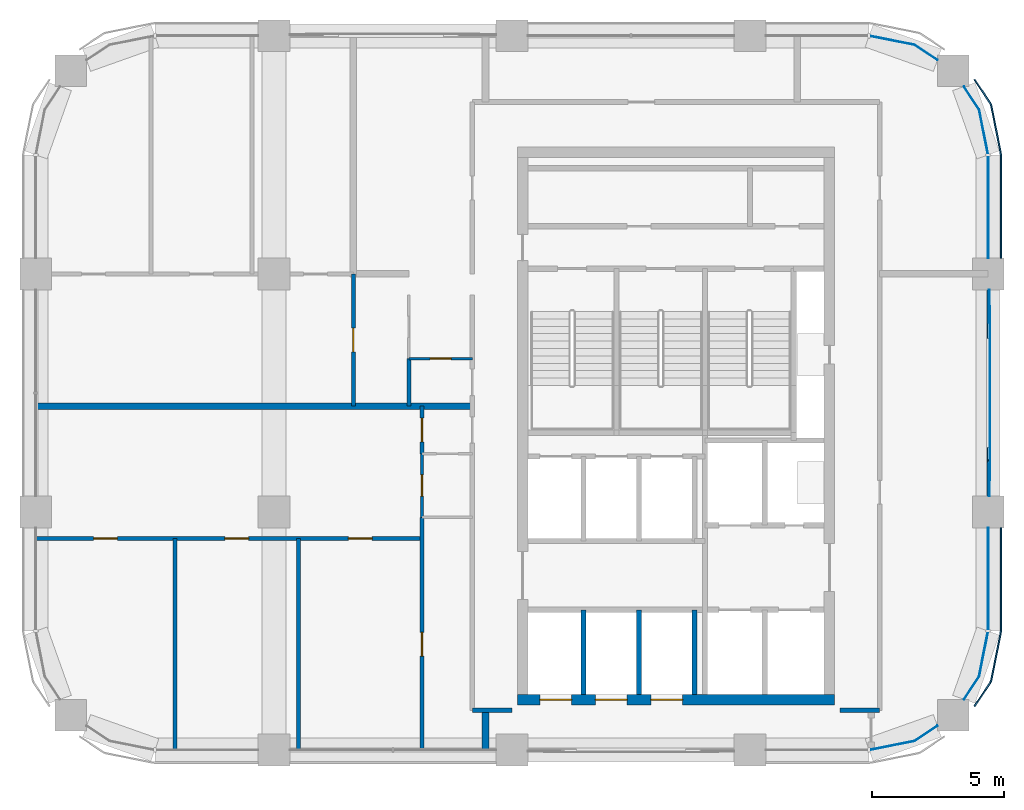
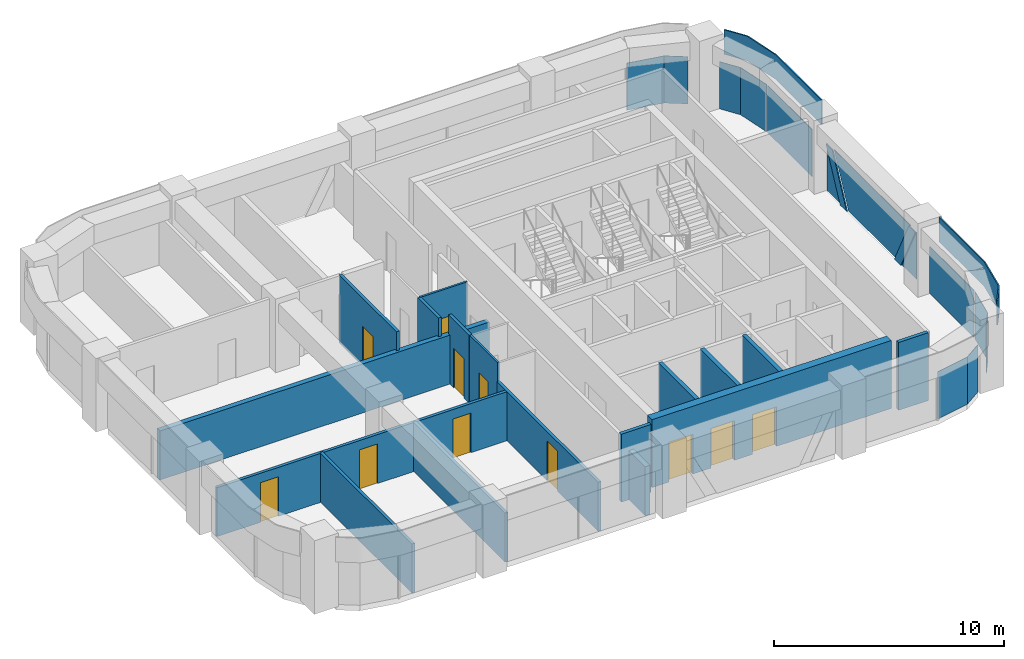
# One storey, part 6 of 9: 17 walls, 13 plates, 11 doors, 11 openings, 5 elements without a shape of their own.
"""IFC4 building model written with IfcOpenShell, lengths in metres."""

from ifc_helpers import new_model, si_unit, direction, frame, frame_2d, origin, origin_2d, place, context, subcontext, project, spatial, polyline, rectangle, outline, extrude, material, layer, layer_set, type_object, element, fill, aggregate, save


model = new_model("IFC4")

# Units and contexts
model_context = context("Model", 3, precision=1e-05, world=origin(), true_north=direction((0.0, 1.0)))
body_context = subcontext(model_context, "Body", "Model", "MODEL_VIEW")
ifc_project = project(units=[si_unit("LENGTHUNIT", "METRE"), si_unit("AREAUNIT", "SQUARE_METRE"), si_unit("VOLUMEUNIT", "CUBIC_METRE"), si_unit("PLANEANGLEUNIT", "RADIAN"), si_unit("MASSUNIT", "GRAM", prefix="KILO")], contexts=[model_context])

# Site, building, storey
site_placement = place(None, origin())
site = spatial("IfcSite", under=ifc_project, at=site_placement, CompositionType="ELEMENT")
building_placement = place(site_placement, origin())
building = spatial("IfcBuilding", under=site, at=building_placement, Name="Tessera Arch", CompositionType="ELEMENT")
storey_placement = place(building_placement, frame((0.0, 0.0, 246.199951171875)))
storey = spatial("IfcBuildingStorey", under=building, at=storey_placement, Name="L59", CompositionType="ELEMENT", Elevation=246.199951171875)

# Curtain wall, plates
ifc_material_1 = material(Name="CW2 curtain wall")
curtain_wall_type_1 = type_object("IfcCurtainWallType", Name="CW2 curtain wall", PredefinedType="NOTDEFINED", material=ifc_material_1)
curtain_wall_1_placement = place(storey_placement, origin())
curtain_wall_1 = element("IfcCurtainWall", 1, at=curtain_wall_1_placement, inside=storey, type_object=curtain_wall_type_1, Name="CW2 curtain wall E54.27/1 L59", PredefinedType="NOTDEFINED")
ifc_material_2 = material(Name="Clear low-e glass", Category="glass")
ifc_material_3 = material(Name="Clear low-e glass", Category="glass")
ifc_layer_1 = layer(ifc_material_3, 0.028076171875)
ifc_layer_set_1 = layer_set([ifc_layer_1], Name="CW2 glass panel")
plate_type_1 = type_object("IfcPlateType", Name="CW2 glass panel", PredefinedType="CURTAIN_PANEL", material=ifc_layer_set_1)
plate_1_placement = place(storey_placement, frame((54.0, 47.530029296875, 0.0), z_axis=(0.0, 0.0, 1.0), x_axis=(0.0, 1.0, 0.0)))
plate_1 = element("IfcPlate", 2, at=plate_1_placement, type_object=plate_type_1, material=ifc_material_2, Name="CW2 glass panel E54.27/1 1.1", PredefinedType="CURTAIN_PANEL", context=body_context, shape_type="SweptSolid", body=[
    extrude(rectangle(XDim=3.860107421875, YDim=0.028076171875, at=origin_2d()), origin(), (0.0, 0.0, 1.0), 2.5),
])
plate_2_placement = place(storey_placement, origin())
plate_2 = element("IfcPlate", 3, at=plate_2_placement, type_object=plate_type_1, material=ifc_material_2, Name="CW2 curved glass panel E54.27/1 2.1", PredefinedType="CURTAIN_PANEL", context=body_context, shape_type="SweptSolid", body=[
    extrude(outline(polyline([(53.644287109375, 51.216552734375), (53.978515625, 49.53662109375), (54.005859375, 49.5419921875), (53.670654296875, 51.2275390625), (53.094482421875, 52.08984375), (53.0712890625, 52.07421875), (53.644287109375, 51.216552734375)])), origin(), (0.0, 0.0, 1.0), 2.5),
])

# Curtain wall, plate
curtain_wall_2_placement = place(storey_placement, origin())
curtain_wall_2 = element("IfcCurtainWall", 4, at=curtain_wall_2_placement, inside=storey, type_object=curtain_wall_type_1, Name="CW2 curtain wall N54.18/0 L59", PredefinedType="NOTDEFINED")
plate_3_placement = place(storey_placement, origin())
plate_3 = element("IfcPlate", 5, at=plate_3_placement, type_object=plate_type_1, material=ifc_material_2, Name="CW2 curved glass panel N54.18/0 2.1", PredefinedType="CURTAIN_PANEL", context=body_context, shape_type="SweptSolid", body=[
    extrude(outline(polyline([(51.216552734375, 53.644287109375), (52.07421875, 53.0712890625), (52.08984375, 53.094482421875), (51.2275390625, 53.670654296875), (49.5419921875, 54.005859375), (49.53662109375, 53.978515625), (51.216552734375, 53.644287109375)])), origin(), (0.0, 0.0, 1.0), 2.5),
])
aggregate(curtain_wall_2, [plate_3])

curtain_wall_3_placement = place(storey_placement, origin())
curtain_wall_3 = element("IfcCurtainWall", 6, at=curtain_wall_3_placement, inside=storey, type_object=curtain_wall_type_1, Name="CW2 curtain wall S27.18/3 L59", PredefinedType="NOTDEFINED")
plate_4_placement = place(storey_placement, origin())
plate_4 = element("IfcPlate", 7, at=plate_4_placement, type_object=plate_type_1, material=ifc_material_2, Name="CW2 curved glass panel S27.18/3 2.1", PredefinedType="CURTAIN_PANEL", context=body_context, shape_type="SweptSolid", body=[
    extrude(outline(polyline([(51.216552734375, 27.355712890625), (49.53662109375, 27.021484375), (49.5419921875, 26.994140625), (51.2275390625, 27.329345703125), (52.08984375, 27.905517578125), (52.07421875, 27.9287109375), (51.216552734375, 27.355712890625)])), origin(), (0.0, 0.0, 1.0), 2.5),
])
aggregate(curtain_wall_3, [plate_4])

# Curtain wall, plates
curtain_wall_4_placement = place(storey_placement, origin())
curtain_wall_4 = element("IfcCurtainWall", 8, at=curtain_wall_4_placement, inside=storey, type_object=curtain_wall_type_1, Name="CW2 curtain wall E54.27/2 L59", PredefinedType="NOTDEFINED")
plate_5_placement = place(storey_placement, frame((54.0, 33.469970703125, 0.0), z_axis=(0.0, 0.0, 1.0), x_axis=(0.0, 1.0, 0.0)))
plate_5 = element("IfcPlate", 9, at=plate_5_placement, type_object=plate_type_1, material=ifc_material_2, Name="CW2 glass panel E54.27/2 1.1", PredefinedType="CURTAIN_PANEL", context=body_context, shape_type="SweptSolid", body=[
    extrude(rectangle(XDim=3.860107421875, YDim=0.028076171875, at=origin_2d()), origin(), (0.0, 0.0, 1.0), 2.5),
])
plate_6_placement = place(storey_placement, origin())
plate_6 = element("IfcPlate", 10, at=plate_6_placement, type_object=plate_type_1, material=ifc_material_2, Name="CW2 curved glass panel E54.27/2 2.1", PredefinedType="CURTAIN_PANEL", context=body_context, shape_type="SweptSolid", body=[
    extrude(outline(polyline([(53.644287109375, 29.783447265625), (53.0712890625, 28.92578125), (53.094482421875, 28.91015625), (53.670654296875, 29.7724609375), (54.005859375, 31.4580078125), (53.978515625, 31.46337890625), (53.644287109375, 29.783447265625)])), origin(), (0.0, 0.0, 1.0), 2.5),
])

# Plate
ifc_material_4 = material(Name="Pale anodised aluminium panel", Category="aluminium")
ifc_layer_2 = layer(ifc_material_4, 0.06005859375)
ifc_layer_set_2 = layer_set([ifc_layer_2], Name="CW2 spandrel panel")
plate_type_2 = type_object("IfcPlateType", Name="CW2 spandrel panel", PredefinedType="CURTAIN_PANEL", material=ifc_layer_set_2)
plate_7_placement = place(storey_placement, frame((0.0, 0.0, 2.60009765625)))
plate_7 = element("IfcPlate", 11, at=plate_7_placement, type_object=plate_type_2, Name="CW2 spandrel panel E54.27/1", PredefinedType="CURTAIN_PANEL", context=body_context, shape_type="SweptSolid", body=[
    extrude(outline(polyline([(54.449951171875, 49.499267578125), (54.449951171875, 45.60009765625), (54.510009765625, 45.60009765625), (54.510009765625, 49.500732421875), (54.507568359375, 49.550048828125), (54.500244140625, 49.598876953125), (54.157470703125, 51.322265625), (54.1455078125, 51.3701171875), (54.128662109375, 51.417236328125), (54.107421875, 51.462646484375), (54.08203125, 51.5048828125), (53.5068359375, 52.365234375), (53.45703125, 52.33203125), (54.03125, 51.47265625), (54.054443359375, 51.434326171875), (54.0732421875, 51.394287109375), (54.088134765625, 51.352783203125), (54.09912109375, 51.30908203125), (54.441162109375, 49.588623046875), (54.44775390625, 49.544189453125), (54.449951171875, 49.499267578125)])), origin(), (0.0, 0.0, 1.0), 1.300048828125),
])

aggregate(curtain_wall_1, [plate_1, plate_2, plate_7])

plate_8_placement = place(storey_placement, frame((0.0, 0.0, 2.60009765625)))
plate_8 = element("IfcPlate", 12, at=plate_8_placement, type_object=plate_type_2, Name="CW2 spandrel panel E54.27/2", PredefinedType="CURTAIN_PANEL", context=body_context, shape_type="SweptSolid", body=[
    extrude(outline(polyline([(54.03125, 29.52734375), (53.45703125, 28.66796875), (53.5068359375, 28.634765625), (54.08203125, 29.4951171875), (54.107421875, 29.537353515625), (54.128662109375, 29.582763671875), (54.1455078125, 29.6298828125), (54.157470703125, 29.677734375), (54.500244140625, 31.401123046875), (54.507568359375, 31.449951171875), (54.510009765625, 31.499267578125), (54.510009765625, 35.39990234375), (54.449951171875, 35.39990234375), (54.449951171875, 31.500732421875), (54.44775390625, 31.455810546875), (54.441162109375, 31.411376953125), (54.09912109375, 29.69091796875), (54.088134765625, 29.647216796875), (54.0732421875, 29.605712890625), (54.054443359375, 29.565673828125), (54.03125, 29.52734375)])), origin(), (0.0, 0.0, 1.0), 1.300048828125),
])

aggregate(curtain_wall_4, [plate_5, plate_6, plate_8])

# Curtain wall, plates
ifc_material_5 = material(Name="CW3 curtain wall")
curtain_wall_type_2 = type_object("IfcCurtainWallType", Name="CW3 curtain wall", PredefinedType="NOTDEFINED", material=ifc_material_5)
curtain_wall_5_placement = place(storey_placement, origin())
curtain_wall_5 = element("IfcCurtainWall", 13, at=curtain_wall_5_placement, inside=storey, type_object=curtain_wall_type_2, Name="CW3 curtain wall E54.27/0 L59", PredefinedType="NOTDEFINED")
ifc_material_6 = material(Name="Pale anodised aluminium panel", Category="aluminium")
ifc_layer_3 = layer(ifc_material_6, 0.06005859375)
ifc_layer_set_3 = layer_set([ifc_layer_3], Name="CW3 diagonal panel")
plate_type_3 = type_object("IfcPlateType", Name="CW3 diagonal panel", PredefinedType="CURTAIN_PANEL", material=ifc_layer_set_3)
plate_9_placement = place(storey_placement, frame((54.030029296875, 44.38232421875, 2.5), z_axis=(1.0, 0.0, 0.0), x_axis=(0.0, -1.0, 0.0)))
plate_9 = element("IfcPlate", 14, at=plate_9_placement, type_object=plate_type_3, Name="CW3 diagonal panel E54.27/0 1", PredefinedType="CURTAIN_PANEL", context=body_context, shape_type="SweptSolid", body=[
    extrude(outline(polyline([(0.0, 0.0), (0.564697265625, 0.0), (1.814697265625, 2.5), (1.25, 2.5), (0.0, 0.0)])), origin(), (0.0, 0.0, -1.0), 0.06005859375),
])
plate_10_placement = place(storey_placement, frame((54.030029296875, 37.182373046875, 2.5), z_axis=(1.0, 0.0, 0.0), x_axis=(0.0, -1.0, 0.0)))
plate_10 = element("IfcPlate", 15, at=plate_10_placement, type_object=plate_type_3, Name="CW3 diagonal panel E54.27/0 2", PredefinedType="CURTAIN_PANEL", context=body_context, shape_type="SweptSolid", body=[
    extrude(outline(polyline([(0.0, 0.0), (0.564697265625, 0.0), (-0.685302734375, 2.5), (-1.25, 2.5), (0.0, 0.0)])), origin(), (0.0, 0.0, -1.0), 0.06005859375),
])
ifc_material_7 = material(Name="Clear low-e glass", Category="glass")
ifc_layer_4 = layer(ifc_material_7, 0.028076171875)
ifc_layer_set_4 = layer_set([ifc_layer_4], Name="CW3 glass panel")
plate_type_4 = type_object("IfcPlateType", Name="CW3 glass panel", PredefinedType="CURTAIN_PANEL", material=ifc_layer_set_4)
plate_11_placement = place(storey_placement, frame((54.05810546875, 36.60009765625, 0.0), z_axis=(1.0, 0.0, 0.0), x_axis=(0.0, 1.0, 0.0)))
plate_11 = element("IfcPlate", 16, at=plate_11_placement, type_object=plate_type_4, material=ifc_material_2, Name="CW3 triangulated glass panel E54.27/0 1", PredefinedType="CURTAIN_PANEL", context=body_context, shape_type="SweptSolid", body=[
    extrude(outline(polyline([(0.0, 0.0), (1.267578125, 0.0), (0.017578125, 2.5), (0.0, 2.5), (0.0, 0.0)])), origin(), (0.0, 0.0, -1.0), 0.028076171875),
])
plate_12_placement = place(storey_placement, frame((54.0859375, 43.817626953125, 2.5), z_axis=(1.0, 0.0, 0.0), x_axis=(0.0, -1.0, 0.0)))
plate_12 = element("IfcPlate", 17, at=plate_12_placement, type_object=plate_type_4, material=ifc_material_2, Name="CW3 triangulated glass panel E54.27/0 2", PredefinedType="CURTAIN_PANEL", context=body_context, shape_type="SweptSolid", body=[
    extrude(outline(polyline([(0.0, 0.0), (6.63525390625, 0.0), (5.38525390625, 2.5), (1.25, 2.5), (0.0, 0.0)])), origin(), (0.0, 0.0, -1.0), 0.028076171875),
])
plate_13_placement = place(storey_placement, frame((54.05810546875, 44.39990234375, 2.5), z_axis=(1.0, 0.0, 0.0), x_axis=(0.0, -1.0, 0.0)))
plate_13 = element("IfcPlate", 18, at=plate_13_placement, type_object=plate_type_4, material=ifc_material_2, Name="CW3 triangulated glass panel E54.27/0 3", PredefinedType="CURTAIN_PANEL", context=body_context, shape_type="SweptSolid", body=[
    extrude(outline(polyline([(0.0, 0.0), (0.017578125, 0.0), (1.267578125, 2.5), (0.0, 2.5), (0.0, 0.0)])), origin(), (0.0, 0.0, -1.0), 0.028076171875),
])
aggregate(curtain_wall_5, [plate_11, plate_12, plate_13, plate_9, plate_10])

# Wall, openings, doors
ifc_material_8 = material(Name="Concrete C50/60", Category="concrete")
ifc_layer_5 = layer(ifc_material_8, 0.39990234375)
ifc_layer_set_5 = layer_set([ifc_layer_5], Name="Core shell wall 400 C50-60")
wall_type_1 = type_object("IfcWallType", Name="Core shell wall 400 C50-60", PredefinedType="SHEAR", material=ifc_layer_set_5)
wall_1_placement = place(storey_placement, frame((36.199951171875, 28.89990234375, 0.0), z_axis=(0.0, 0.0, 1.0), x_axis=(1.0, 0.0, 0.0)))
wall_1 = element("IfcWall", 19, at=wall_1_placement, inside=storey, type_object=wall_type_1, Name="L59 C1 core wall S", PredefinedType="SHEAR", context=body_context, shape_type="SweptSolid", body=[
    extrude(rectangle(XDim=12.0, YDim=0.39990234375, at=frame_2d((6.0, 0.0))), origin(), (0.0, 0.0, 1.0), 3.60009765625),
])
opening_1_placement = place(wall_1_placement, frame((0.85009765625, 0.0, 0.0)))
opening_1 = element("IfcOpeningElement", 20, at=opening_1_placement, cuts=wall_1, Name="Opening L59-C01", PredefinedType="OPENING", context=body_context, shape_type="SweptSolid", body=[
    extrude(rectangle(XDim=1.199951171875, YDim=2.10009765625, at=frame_2d((0.60009765625, 1.050048828125))), frame((0.0, 0.2099609375, 0.0), z_axis=(0.0, -1.0, 0.0), x_axis=(1.0, 0.0, 0.0)), (0.0, 0.0, 1.0), 0.419921875),
])
opening_2_placement = place(wall_1_placement, frame((2.949951171875, 0.0, 0.0)))
opening_2 = element("IfcOpeningElement", 21, at=opening_2_placement, cuts=wall_1, Name="Opening L59-C03", PredefinedType="OPENING", context=body_context, shape_type="SweptSolid", body=[
    extrude(rectangle(XDim=1.199951171875, YDim=2.10009765625, at=frame_2d((0.60009765625, 1.050048828125))), frame((0.0, 0.2099609375, 0.0), z_axis=(0.0, -1.0, 0.0), x_axis=(1.0, 0.0, 0.0)), (0.0, 0.0, 1.0), 0.419921875),
])
opening_3_placement = place(wall_1_placement, frame((5.050048828125, 0.0, 0.0)))
opening_3 = element("IfcOpeningElement", 22, at=opening_3_placement, cuts=wall_1, Name="Opening L59-C05", PredefinedType="OPENING", context=body_context, shape_type="SweptSolid", body=[
    extrude(rectangle(XDim=1.199951171875, YDim=2.10009765625, at=frame_2d((0.60009765625, 1.050048828125))), frame((0.0, 0.2099609375, 0.0), z_axis=(0.0, -1.0, 0.0), x_axis=(1.0, 0.0, 0.0)), (0.0, 0.0, 1.0), 0.419921875),
])
ifc_material_9 = material(Name="Stainless steel AISI 304", Category="steel")
door_type_1 = type_object("IfcDoorType", Name="Sliding landing door 1200 x 2100", OperationType="SLIDING_TO_LEFT", PredefinedType="DOOR", material=ifc_material_9)
door_1_placement = place(opening_1_placement, origin())
door_1 = element("IfcDoor", 23, at=door_1_placement, inside=storey, type_object=door_type_1, Name="L59 HR1 lift landing door C01 type LD", OperationType="SLIDING_TO_LEFT", OverallHeight=2.10009765625, OverallWidth=1.199951171875, PredefinedType="DOOR", context=body_context, shape_type="SweptSolid", body=[
    extrude(rectangle(XDim=1.199951171875, YDim=2.10009765625, at=frame_2d((0.60009765625, 1.050048828125))), frame((0.0, 0.02490234375, 0.0), z_axis=(0.0, -1.0, 0.0), x_axis=(1.0, 0.0, 0.0)), (0.0, 0.0, 1.0), 0.050048828125),
])
fill(opening_1, door_1)
door_2_placement = place(opening_2_placement, origin())
door_2 = element("IfcDoor", 24, at=door_2_placement, inside=storey, type_object=door_type_1, Name="L59 HR2 lift landing door C03 type LD", OperationType="SLIDING_TO_LEFT", OverallHeight=2.10009765625, OverallWidth=1.199951171875, PredefinedType="DOOR", context=body_context, shape_type="SweptSolid", body=[
    extrude(rectangle(XDim=1.199951171875, YDim=2.10009765625, at=frame_2d((0.60009765625, 1.050048828125))), frame((0.0, 0.02490234375, 0.0), z_axis=(0.0, -1.0, 0.0), x_axis=(1.0, 0.0, 0.0)), (0.0, 0.0, 1.0), 0.050048828125),
])
fill(opening_2, door_2)
door_3_placement = place(opening_3_placement, origin())
door_3 = element("IfcDoor", 25, at=door_3_placement, inside=storey, type_object=door_type_1, Name="L59 HR3 lift landing door C05 type LD", OperationType="SLIDING_TO_LEFT", OverallHeight=2.10009765625, OverallWidth=1.199951171875, PredefinedType="DOOR", context=body_context, shape_type="SweptSolid", body=[
    extrude(rectangle(XDim=1.199951171875, YDim=2.10009765625, at=frame_2d((0.60009765625, 1.050048828125))), frame((0.0, 0.02490234375, 0.0), z_axis=(0.0, -1.0, 0.0), x_axis=(1.0, 0.0, 0.0)), (0.0, 0.0, 1.0), 0.050048828125),
])
fill(opening_3, door_3)

# Walls
ifc_material_10 = material(Name="Gypsum board on deep steel stud with mineral wool", Category="steel")
ifc_layer_6 = layer(ifc_material_10, 0.175048828125)
ifc_layer_set_6 = layer_set([ifc_layer_6], Name="Corridor wall 175 EI 60")
wall_type_2 = type_object("IfcWallType", Name="Corridor wall 175 EI 60", PredefinedType="PARTITIONING", material=ifc_layer_set_6)
for number, where, z_axis, x_axis, name in (
    (26, (34.5, 28.5, 0.0), (0.0, 0.0, 1.0), (1.0, 0.0, 0.0), "L59 partition 1"),
    (27, (48.39990234375, 28.5, 0.0), (0.0, 0.0, 1.0), (1.0, 0.0, 0.0), "L59 partition 2"),
):
    element("IfcWall", number, at=place(storey_placement, frame(where, z_axis=z_axis, x_axis=x_axis)), inside=storey, type_object=wall_type_2, Name=name, PredefinedType="PARTITIONING", context=body_context, shape_type="SweptSolid", body=[
        extrude(rectangle(XDim=1.5, YDim=0.175048828125, at=frame_2d((0.75, 0.0))), origin(), (0.0, 0.0, 1.0), 3.60009765625),
    ])

# Wall, openings, doors
ifc_material_11 = material(Name="Gypsum board on steel stud", Category="steel")
ifc_layer_7 = layer(ifc_material_11, 0.14990234375)
ifc_layer_set_7 = layer_set([ifc_layer_7], Name="Partition 150")
wall_type_3 = type_object("IfcWallType", Name="Partition 150", PredefinedType="PARTITIONING", material=ifc_layer_set_7)
wall_2_placement = place(storey_placement, frame((18.0, 35.0, 0.0), z_axis=(0.0, 0.0, 1.0), x_axis=(1.0, 0.0, 0.0)))
wall_2 = element("IfcWall", 28, at=wall_2_placement, inside=storey, type_object=wall_type_3, Name="L59 partition 7", PredefinedType="PARTITIONING", context=body_context, shape_type="SweptSolid", body=[
    extrude(rectangle(XDim=14.60009765625, YDim=0.14990234375, at=frame_2d((7.300048828125, 0.0))), origin(), (0.0, 0.0, 1.0), 2.60009765625),
])
opening_4_placement = place(wall_2_placement, frame((11.815673828125, 0.0, 0.0)))
opening_4 = element("IfcOpeningElement", 29, at=opening_4_placement, cuts=wall_2, Name="Opening L59-D006", PredefinedType="OPENING", context=body_context, shape_type="SweptSolid", body=[
    extrude(rectangle(XDim=0.89990234375, YDim=2.10009765625, at=frame_2d((0.449951171875, 1.050048828125))), frame((0.0, 0.0849609375, 0.0), z_axis=(0.0, -1.0, 0.0), x_axis=(1.0, 0.0, 0.0)), (0.0, 0.0, 1.0), 0.169921875),
])
opening_5_placement = place(wall_2_placement, frame((7.14697265625, 0.0, 0.0)))
opening_5 = element("IfcOpeningElement", 30, at=opening_5_placement, cuts=wall_2, Name="Opening L59-D007", PredefinedType="OPENING", context=body_context, shape_type="SweptSolid", body=[
    extrude(rectangle(XDim=0.89990234375, YDim=2.10009765625, at=frame_2d((0.449951171875, 1.050048828125))), frame((0.0, 0.0849609375, 0.0), z_axis=(0.0, -1.0, 0.0), x_axis=(1.0, 0.0, 0.0)), (0.0, 0.0, 1.0), 0.169921875),
])
opening_6_placement = place(wall_2_placement, frame((2.181396484375, 0.0, 0.0)))
opening_6 = element("IfcOpeningElement", 31, at=opening_6_placement, cuts=wall_2, Name="Opening L59-D008", PredefinedType="OPENING", context=body_context, shape_type="SweptSolid", body=[
    extrude(rectangle(XDim=0.89990234375, YDim=2.10009765625, at=frame_2d((0.449951171875, 1.050048828125))), frame((0.0, 0.0849609375, 0.0), z_axis=(0.0, -1.0, 0.0), x_axis=(1.0, 0.0, 0.0)), (0.0, 0.0, 1.0), 0.169921875),
])
ifc_material_12 = material(Name="Timber door leaf", Category="wood")
door_type_2 = type_object("IfcDoorType", Name="Room door 900 x 2100", OperationType="SINGLE_SWING_LEFT", PredefinedType="DOOR", material=ifc_material_12)
door_4_placement = place(opening_4_placement, origin())
door_4 = element("IfcDoor", 32, at=door_4_placement, inside=storey, type_object=door_type_2, Name="L59 door D006 type D01", OperationType="SINGLE_SWING_LEFT", OverallHeight=2.10009765625, OverallWidth=0.89990234375, PredefinedType="DOOR", context=body_context, shape_type="SweptSolid", body=[
    extrude(rectangle(XDim=0.89990234375, YDim=2.10009765625, at=frame_2d((0.449951171875, 1.050048828125))), frame((0.0, 0.02490234375, 0.0), z_axis=(0.0, -1.0, 0.0), x_axis=(1.0, 0.0, 0.0)), (0.0, 0.0, 1.0), 0.050048828125),
])
fill(opening_4, door_4)
door_5_placement = place(opening_5_placement, origin())
door_5 = element("IfcDoor", 33, at=door_5_placement, inside=storey, type_object=door_type_2, Name="L59 door D007 type D01", OperationType="SINGLE_SWING_LEFT", OverallHeight=2.10009765625, OverallWidth=0.89990234375, PredefinedType="DOOR", context=body_context, shape_type="SweptSolid", body=[
    extrude(rectangle(XDim=0.89990234375, YDim=2.10009765625, at=frame_2d((0.449951171875, 1.050048828125))), frame((0.0, 0.02490234375, 0.0), z_axis=(0.0, -1.0, 0.0), x_axis=(1.0, 0.0, 0.0)), (0.0, 0.0, 1.0), 0.050048828125),
])
fill(opening_5, door_5)
door_6_placement = place(opening_6_placement, origin())
door_6 = element("IfcDoor", 34, at=door_6_placement, inside=storey, type_object=door_type_2, Name="L59 door D008 type D01", OperationType="SINGLE_SWING_LEFT", OverallHeight=2.10009765625, OverallWidth=0.89990234375, PredefinedType="DOOR", context=body_context, shape_type="SweptSolid", body=[
    extrude(rectangle(XDim=0.89990234375, YDim=2.10009765625, at=frame_2d((0.449951171875, 1.050048828125))), frame((0.0, 0.02490234375, 0.0), z_axis=(0.0, -1.0, 0.0), x_axis=(1.0, 0.0, 0.0)), (0.0, 0.0, 1.0), 0.050048828125),
])
fill(opening_6, door_6)

# Walls
for number, where, z_axis, x_axis, name in (
    (35, (23.262939453125, 27.0, 0.0), (0.0, 0.0, 1.0), (0.0, 1.0, 0.0), "L59 partition 10"),
    (36, (27.930908203125, 27.0, 0.0), (0.0, 0.0, 1.0), (0.0, 1.0, 0.0), "L59 partition 12"),
):
    element("IfcWall", number, at=place(storey_placement, frame(where, z_axis=z_axis, x_axis=x_axis)), inside=storey, type_object=wall_type_3, Name=name, PredefinedType="PARTITIONING", context=body_context, shape_type="SweptSolid", body=[
        extrude(rectangle(XDim=8.0, YDim=0.14990234375, at=frame_2d((4.0, 0.0))), origin(), (0.0, 0.0, 1.0), 2.60009765625),
    ])

# Wall, opening, door
wall_3_placement = place(storey_placement, frame((30.0, 40.0, 0.0), z_axis=(0.0, 0.0, 1.0), x_axis=(0.0, 1.0, 0.0)))
wall_3 = element("IfcWall", 37, at=wall_3_placement, inside=storey, type_object=wall_type_3, Name="L59 partition 13", PredefinedType="PARTITIONING", context=body_context, shape_type="SweptSolid", body=[
    extrude(rectangle(XDim=5.0, YDim=0.14990234375, at=frame_2d((2.5, 0.0))), origin(), (0.0, 0.0, 1.0), 3.60009765625),
])
opening_7_placement = place(wall_3_placement, frame((2.050048828125, 0.0, 0.0)))
opening_7 = element("IfcOpeningElement", 38, at=opening_7_placement, cuts=wall_3, Name="Opening L59-D013", PredefinedType="OPENING", context=body_context, shape_type="SweptSolid", body=[
    extrude(rectangle(XDim=0.89990234375, YDim=2.10009765625, at=frame_2d((0.449951171875, 1.050048828125))), frame((0.0, 0.0849609375, 0.0), z_axis=(0.0, -1.0, 0.0), x_axis=(1.0, 0.0, 0.0)), (0.0, 0.0, 1.0), 0.169921875),
])
door_7_placement = place(opening_7_placement, origin())
door_7 = element("IfcDoor", 39, at=door_7_placement, inside=storey, type_object=door_type_2, Name="L59 door D013 type D01", OperationType="SINGLE_SWING_LEFT", OverallHeight=2.10009765625, OverallWidth=0.89990234375, PredefinedType="DOOR", context=body_context, shape_type="SweptSolid", body=[
    extrude(rectangle(XDim=0.89990234375, YDim=2.10009765625, at=frame_2d((0.449951171875, 1.050048828125))), frame((0.0, 0.02490234375, 0.0), z_axis=(0.0, -1.0, 0.0), x_axis=(1.0, 0.0, 0.0)), (0.0, 0.0, 1.0), 0.050048828125),
])
fill(opening_7, door_7)

# Wall
wall_4_placement = place(storey_placement, frame((32.10009765625, 40.0, 0.0), z_axis=(0.0, 0.0, 1.0), x_axis=(0.0, 1.0, 0.0)))
element("IfcWall", 40, at=wall_4_placement, inside=storey, type_object=wall_type_3, Name="L59 partition 14", PredefinedType="PARTITIONING", context=body_context, shape_type="SweptSolid", body=[
    extrude(rectangle(XDim=1.800048828125, YDim=0.14990234375, at=frame_2d((0.89990234375, 0.0))), origin(), (0.0, 0.0, 1.0), 3.60009765625),
])

# Wall, opening, door
wall_5_placement = place(storey_placement, frame((32.60009765625, 27.0, 0.0), z_axis=(0.0, 0.0, 1.0), x_axis=(0.0, 1.0, 0.0)))
wall_5 = element("IfcWall", 41, at=wall_5_placement, inside=storey, type_object=wall_type_3, Name="L59 partition 15", PredefinedType="PARTITIONING", context=body_context, shape_type="SweptSolid", body=[
    extrude(rectangle(XDim=8.800048828125, YDim=0.14990234375, at=frame_2d((4.39990234375, 0.0))), origin(), (0.0, 0.0, 1.0), 2.60009765625),
])
opening_8_placement = place(wall_5_placement, frame((3.550048828125, 0.0, 0.0)))
opening_8 = element("IfcOpeningElement", 42, at=opening_8_placement, cuts=wall_5, Name="Opening L59-D005", PredefinedType="OPENING", context=body_context, shape_type="SweptSolid", body=[
    extrude(rectangle(XDim=0.89990234375, YDim=2.10009765625, at=frame_2d((0.449951171875, 1.050048828125))), frame((0.0, 0.0849609375, 0.0), z_axis=(0.0, -1.0, 0.0), x_axis=(1.0, 0.0, 0.0)), (0.0, 0.0, 1.0), 0.169921875),
])
door_8_placement = place(opening_8_placement, origin())
door_8 = element("IfcDoor", 43, at=door_8_placement, inside=storey, type_object=door_type_2, Name="L59 door D005 type D01", OperationType="SINGLE_SWING_LEFT", OverallHeight=2.10009765625, OverallWidth=0.89990234375, PredefinedType="DOOR", context=body_context, shape_type="SweptSolid", body=[
    extrude(rectangle(XDim=0.89990234375, YDim=2.10009765625, at=frame_2d((0.449951171875, 1.050048828125))), frame((0.0, 0.02490234375, 0.0), z_axis=(0.0, -1.0, 0.0), x_axis=(1.0, 0.0, 0.0)), (0.0, 0.0, 1.0), 0.050048828125),
])
fill(opening_8, door_8)

wall_6_placement = place(storey_placement, frame((32.60009765625, 38.199951171875, 0.0), z_axis=(0.0, 0.0, 1.0), x_axis=(0.0, 1.0, 0.0)))
wall_6 = element("IfcWall", 44, at=wall_6_placement, inside=storey, type_object=wall_type_3, Name="L59 partition 16", PredefinedType="PARTITIONING", context=body_context, shape_type="SweptSolid", body=[
    extrude(rectangle(XDim=1.800048828125, YDim=0.14990234375, at=frame_2d((0.89990234375, 0.0))), origin(), (0.0, 0.0, 1.0), 3.60009765625),
])
opening_9_placement = place(wall_6_placement, frame((0.449951171875, 0.0, 0.0)))
opening_9 = element("IfcOpeningElement", 45, at=opening_9_placement, cuts=wall_6, Name="Opening L59-D002", PredefinedType="OPENING", context=body_context, shape_type="SweptSolid", body=[
    extrude(rectangle(XDim=0.89990234375, YDim=2.10009765625, at=frame_2d((0.449951171875, 1.050048828125))), frame((0.0, 0.0849609375, 0.0), z_axis=(0.0, -1.0, 0.0), x_axis=(1.0, 0.0, 0.0)), (0.0, 0.0, 1.0), 0.169921875),
])
door_9_placement = place(opening_9_placement, origin())
door_9 = element("IfcDoor", 46, at=door_9_placement, inside=storey, type_object=door_type_2, Name="L59 door D002 type D01", OperationType="SINGLE_SWING_LEFT", OverallHeight=2.10009765625, OverallWidth=0.89990234375, PredefinedType="DOOR", context=body_context, shape_type="SweptSolid", body=[
    extrude(rectangle(XDim=0.89990234375, YDim=2.10009765625, at=frame_2d((0.449951171875, 1.050048828125))), frame((0.0, 0.02490234375, 0.0), z_axis=(0.0, -1.0, 0.0), x_axis=(1.0, 0.0, 0.0)), (0.0, 0.0, 1.0), 0.050048828125),
])
fill(opening_9, door_9)

# Walls
ifc_material_13 = material(Name="Double gypsum board on twin steel stud with acoustic mineral wool", Category="steel")
ifc_layer_8 = layer(ifc_material_13, 0.25)
ifc_layer_set_8 = layer_set([ifc_layer_8], Name="Party wall 250 EI 60")
wall_type_4 = type_object("IfcWallType", Name="Party wall 250 EI 60", PredefinedType="PARTITIONING", material=ifc_layer_set_8)
wall_7_placement = place(storey_placement, frame((18.0, 40.0, 0.0), z_axis=(0.0, 0.0, 1.0), x_axis=(1.0, 0.0, 0.0)))
element("IfcWall", 47, at=wall_7_placement, inside=storey, type_object=wall_type_4, Name="L59 partition 17", PredefinedType="PARTITIONING", context=body_context, shape_type="SweptSolid", body=[
    extrude(rectangle(XDim=16.5, YDim=0.25, at=frame_2d((8.25, 0.0))), origin(), (0.0, 0.0, 1.0), 2.60009765625),
])
wall_8_placement = place(storey_placement, frame((35.0, 27.0, 0.0), z_axis=(0.0, 0.0, 1.0), x_axis=(0.0, 1.0, 0.0)))
element("IfcWall", 48, at=wall_8_placement, inside=storey, type_object=wall_type_4, Name="L59 partition 21", PredefinedType="PARTITIONING", context=body_context, shape_type="SweptSolid", body=[
    extrude(rectangle(XDim=1.5, YDim=0.25, at=frame_2d((0.75, 0.0))), origin(), (0.0, 0.0, 1.0), 2.60009765625),
])
ifc_material_14 = material(Name="Concrete C40/50", Category="concrete")
ifc_layer_9 = layer(ifc_material_14, 0.199951171875)
ifc_layer_set_9 = layer_set([ifc_layer_9], Name="Shaft wall 200 EI 120")
wall_type_5 = type_object("IfcWallType", Name="Shaft wall 200 EI 120", PredefinedType="SOLIDWALL", material=ifc_layer_set_9)
for number, where, z_axis, x_axis, name in (
    (49, (38.699951171875, 29.10009765625, 0.0), (0.0, 0.0, 1.0), (0.0, 1.0, 0.0), "L59 C1 shaft wall 1"),
    (50, (40.800048828125, 29.10009765625, 0.0), (0.0, 0.0, 1.0), (0.0, 1.0, 0.0), "L59 C1 shaft wall 5"),
    (51, (42.89990234375, 29.10009765625, 0.0), (0.0, 0.0, 1.0), (0.0, 1.0, 0.0), "L59 C1 shaft wall 7"),
):
    element("IfcWall", number, at=place(storey_placement, frame(where, z_axis=z_axis, x_axis=x_axis)), inside=storey, type_object=wall_type_5, Name=name, PredefinedType="SOLIDWALL", context=body_context, shape_type="SweptSolid", body=[
        extrude(rectangle(XDim=3.199951171875, YDim=0.199951171875, at=frame_2d((1.60009765625, 0.0))), origin(), (0.0, 0.0, 1.0), 3.60009765625),
    ])

# Wall, opening, door
ifc_material_15 = material(Name="Moisture-resistant board on pre-plumbed steel stud", Category="steel")
ifc_layer_10 = layer(ifc_material_15, 0.10009765625)
ifc_layer_set_10 = layer_set([ifc_layer_10], Name="Wet wall 100")
wall_type_6 = type_object("IfcWallType", Name="Wet wall 100", PredefinedType="PARTITIONING", material=ifc_layer_set_10)
wall_9_placement = place(storey_placement, frame((32.10009765625, 41.800048828125, 0.0), z_axis=(0.0, 0.0, 1.0), x_axis=(1.0, 0.0, 0.0)))
wall_9 = element("IfcWall", 52, at=wall_9_placement, inside=storey, type_object=wall_type_6, Name="L59 partition 27", PredefinedType="PARTITIONING", context=body_context, shape_type="SweptSolid", body=[
    extrude(rectangle(XDim=2.39990234375, YDim=0.10009765625, at=frame_2d((1.199951171875, 0.0))), origin(), (0.0, 0.0, 1.0), 3.60009765625),
])
opening_10_placement = place(wall_9_placement, frame((0.800048828125, 0.0, 0.0)))
opening_10 = element("IfcOpeningElement", 53, at=opening_10_placement, cuts=wall_9, Name="Opening L59-D011", PredefinedType="OPENING", context=body_context, shape_type="SweptSolid", body=[
    extrude(rectangle(XDim=0.800048828125, YDim=2.10009765625, at=frame_2d((0.39990234375, 1.050048828125))), frame((0.0, 0.06005859375, 0.0), z_axis=(0.0, -1.0, 0.0), x_axis=(1.0, 0.0, 0.0)), (0.0, 0.0, 1.0), 0.1201171875),
])
ifc_material_16 = material(Name="Timber door leaf", Category="wood")
door_type_3 = type_object("IfcDoorType", Name="En-suite door 800 x 2100", OperationType="SINGLE_SWING_LEFT", PredefinedType="DOOR", material=ifc_material_16)
door_10_placement = place(opening_10_placement, origin())
door_10 = element("IfcDoor", 54, at=door_10_placement, inside=storey, type_object=door_type_3, Name="L59 door D011 type D02", OperationType="SINGLE_SWING_RIGHT", OverallHeight=2.10009765625, OverallWidth=0.800048828125, PredefinedType="DOOR", context=body_context, shape_type="SweptSolid", body=[
    extrude(rectangle(XDim=0.800048828125, YDim=2.10009765625, at=frame_2d((0.39990234375, 1.050048828125))), frame((0.0, 0.02490234375, 0.0), z_axis=(0.0, -1.0, 0.0), x_axis=(1.0, 0.0, 0.0)), (0.0, 0.0, 1.0), 0.050048828125),
])
fill(opening_10, door_10)

wall_10_placement = place(storey_placement, frame((32.60009765625, 35.800048828125, 0.0), z_axis=(0.0, 0.0, 1.0), x_axis=(0.0, 1.0, 0.0)))
wall_10 = element("IfcWall", 55, at=wall_10_placement, inside=storey, type_object=wall_type_6, Name="L59 partition 29", PredefinedType="PARTITIONING", context=body_context, shape_type="SweptSolid", body=[
    extrude(rectangle(XDim=2.39990234375, YDim=0.10009765625, at=frame_2d((1.199951171875, 0.0))), origin(), (0.0, 0.0, 1.0), 3.60009765625),
])
opening_11_placement = place(wall_10_placement, frame((0.800048828125, 0.0, 0.0)))
opening_11 = element("IfcOpeningElement", 56, at=opening_11_placement, cuts=wall_10, Name="Opening L59-D004", PredefinedType="OPENING", context=body_context, shape_type="SweptSolid", body=[
    extrude(rectangle(XDim=0.800048828125, YDim=2.10009765625, at=frame_2d((0.39990234375, 1.050048828125))), frame((0.0, 0.06005859375, 0.0), z_axis=(0.0, -1.0, 0.0), x_axis=(1.0, 0.0, 0.0)), (0.0, 0.0, 1.0), 0.1201171875),
])
door_11_placement = place(opening_11_placement, origin())
door_11 = element("IfcDoor", 57, at=door_11_placement, inside=storey, type_object=door_type_3, Name="L59 door D004 type D02", OperationType="SINGLE_SWING_RIGHT", OverallHeight=2.10009765625, OverallWidth=0.800048828125, PredefinedType="DOOR", context=body_context, shape_type="SweptSolid", body=[
    extrude(rectangle(XDim=0.800048828125, YDim=2.10009765625, at=frame_2d((0.39990234375, 1.050048828125))), frame((0.0, 0.02490234375, 0.0), z_axis=(0.0, -1.0, 0.0), x_axis=(1.0, 0.0, 0.0)), (0.0, 0.0, 1.0), 0.050048828125),
])
fill(opening_11, door_11)

save(model, "model.ifc")
